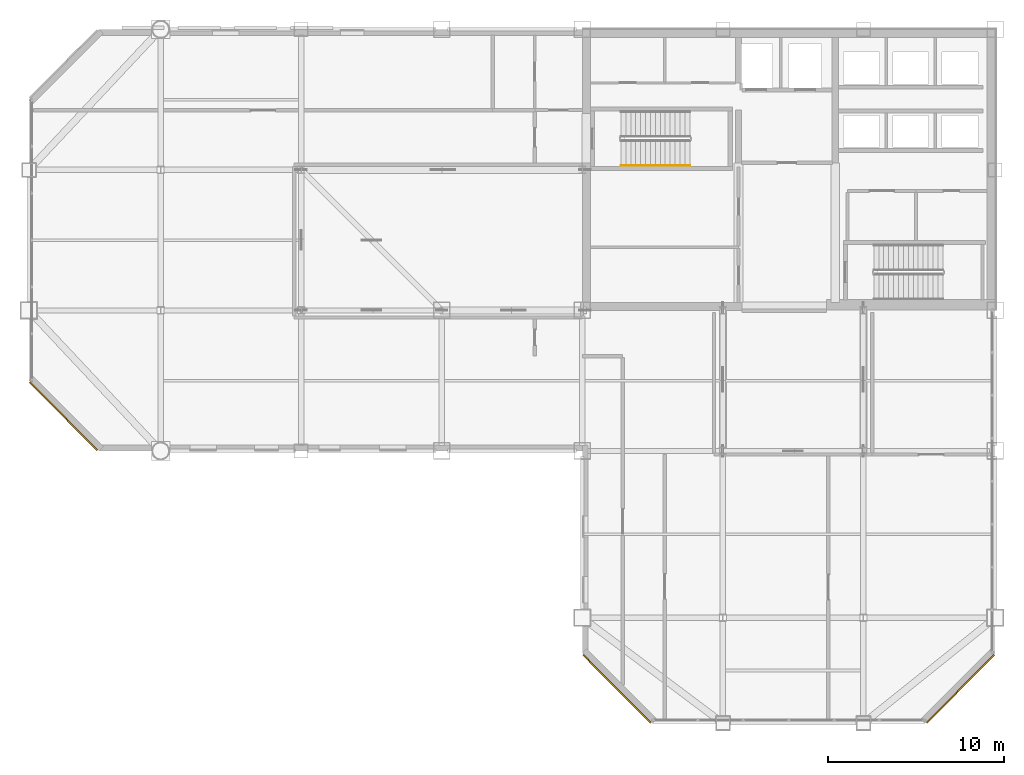
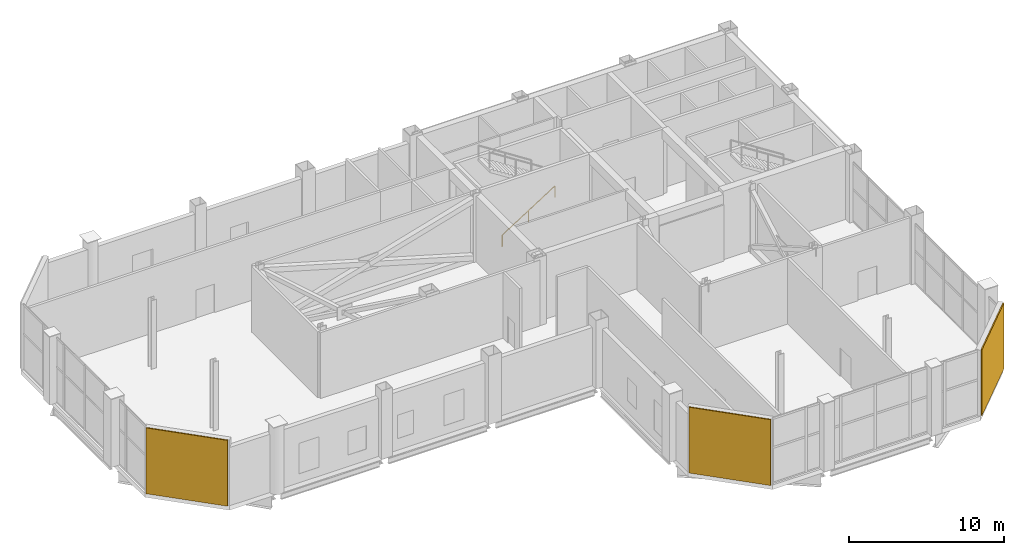
# One storey, part 20 of 23: 3 coverings, 1 railing.
"""IFC4 building model written with IfcOpenShell, lengths in metres."""

from ifc_helpers import new_model, si_unit, direction, frame, origin, origin_2d, place, context, subcontext, project, spatial, rectangle, circle, extrude, material, layer, layer_set, type_object, element, save


model = new_model("IFC4")

# Units and contexts
model_context = context("Model", 3, precision=1e-05, world=origin(), true_north=direction((0.0, 1.0)))
body_context = subcontext(model_context, "Body", "Model", "MODEL_VIEW")
ifc_project = project(units=[si_unit("LENGTHUNIT", "METRE"), si_unit("AREAUNIT", "SQUARE_METRE"), si_unit("VOLUMEUNIT", "CUBIC_METRE"), si_unit("PLANEANGLEUNIT", "RADIAN"), si_unit("MASSUNIT", "GRAM", prefix="KILO")], contexts=[model_context])

# Site, building, storey
site_placement = place(None, origin())
site = spatial("IfcSite", under=ifc_project, at=site_placement, CompositionType="ELEMENT")
building_placement = place(site_placement, origin())
building = spatial("IfcBuilding", under=site, at=building_placement, Name="Qianrong Seaharbour Tower", CompositionType="ELEMENT")
storey_placement = place(building_placement, frame((0.0, 0.0, 281.800048828125)))
storey = spatial("IfcBuildingStorey", under=building, at=storey_placement, Name="L68", CompositionType="ELEMENT", Elevation=281.800048828125)

# Coverings
ifc_material_1 = material(Name="Unitised red brick cladding on Precast concrete C45/55", Category="masonry")
ifc_layer = layer(ifc_material_1, 0.080078125)
ifc_layer_set = layer_set([ifc_layer], Name="Unitised red brick cladding on Precast concrete C45/55")
covering_type = type_object("IfcCoveringType", Name="COV-CLAD-RED-BRICK-80", PredefinedType="CLADDING", material=ifc_layer_set)
for number, where, z_axis, x_axis, name in (
    (1, (10.9716796875, 29.9716796875, 0.0), (0.0, 0.0, 1.0), (-0.707106781187, 0.707106781187, 0.0), "L68 Chamfer Corner Brick Cladding 02"),
    (2, (62.0283203125, 14.4716796875, 0.0), (0.0, 0.0, 1.0), (-0.707106781187, -0.707106781187, 0.0), "L68 Chamfer Corner Brick Cladding 07"),
    (3, (42.4716796875, 14.4716796875, 0.0), (0.0, 0.0, 1.0), (-0.707106781187, 0.707106781187, 0.0), "L68 Chamfer Corner Brick Cladding 09"),
):
    element("IfcCovering", number, at=place(storey_placement, frame(where, z_axis=z_axis, x_axis=x_axis)), inside=storey, type_object=covering_type, Name=name, PredefinedType="CLADDING", context=body_context, shape_type="SweptSolid", body=[
        extrude(rectangle(XDim=5.456787109375, YDim=0.080078125, at=origin_2d()), origin(), (0.0, 0.0, 1.0), 5.18505859375),
    ])

# Railing
ifc_material_2 = material(Name="Stainless steel SUS316L continuous handrail", Category="steel")
railing_type = type_object("IfcRailingType", Name="RAIL-STAIR-HANDRAIL-900", PredefinedType="HANDRAIL", material=ifc_material_2)
railing_placement = place(storey_placement, frame((42.699951171875, 44.25, 0.179931640625)))
element("IfcRailing", 4, at=railing_placement, inside=storey, type_object=railing_type, Name="L68 ST-1 stair handrail 1", PredefinedType="HANDRAIL", context=body_context, shape_type="SweptSolid", body=[
    extrude(circle(Radius=0.02392578125, at=origin_2d()), frame((0.0, 0.0, 0.8759765625), z_axis=(0.841186985886, 0.0, 0.540744352514), x_axis=(0.0, 1.0, 0.0)), (0.0, 0.0, 1.0), 4.660400390625),
    extrude(circle(Radius=0.02099609375, at=origin_2d()), origin(), (0.0, 0.0, 1.0), 0.851806640625),
    extrude(circle(Radius=0.02099609375, at=origin_2d()), frame((1.9599609375, 0.0, 1.260009765625)), (0.0, 0.0, 1.0), 0.851806640625),
    extrude(circle(Radius=0.02099609375, at=origin_2d()), frame((3.920166015625, 0.0, 2.52001953125)), (0.0, 0.0, 1.0), 0.851806640625),
])

save(model, "model.ifc")
